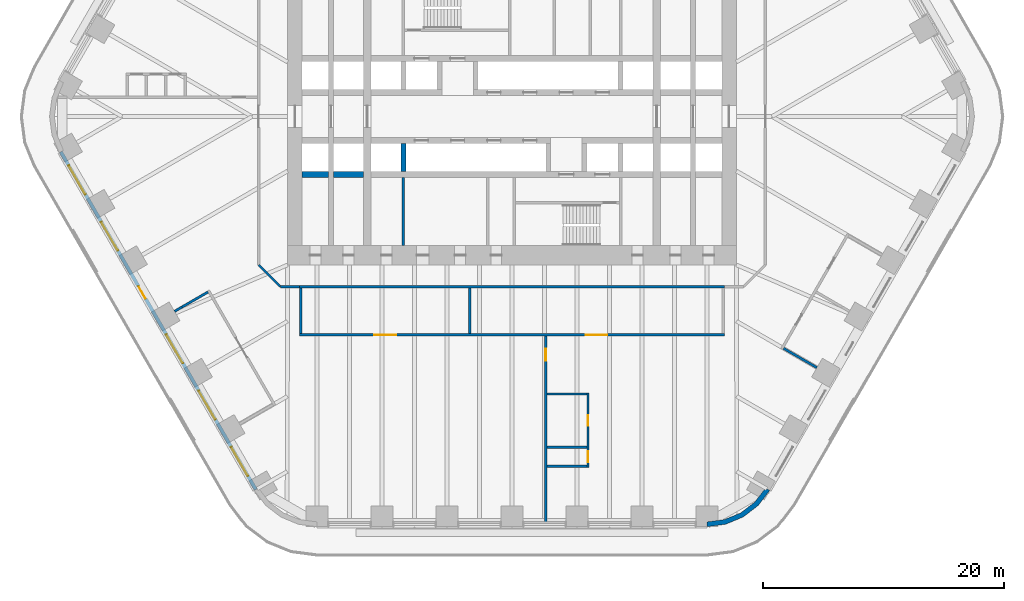
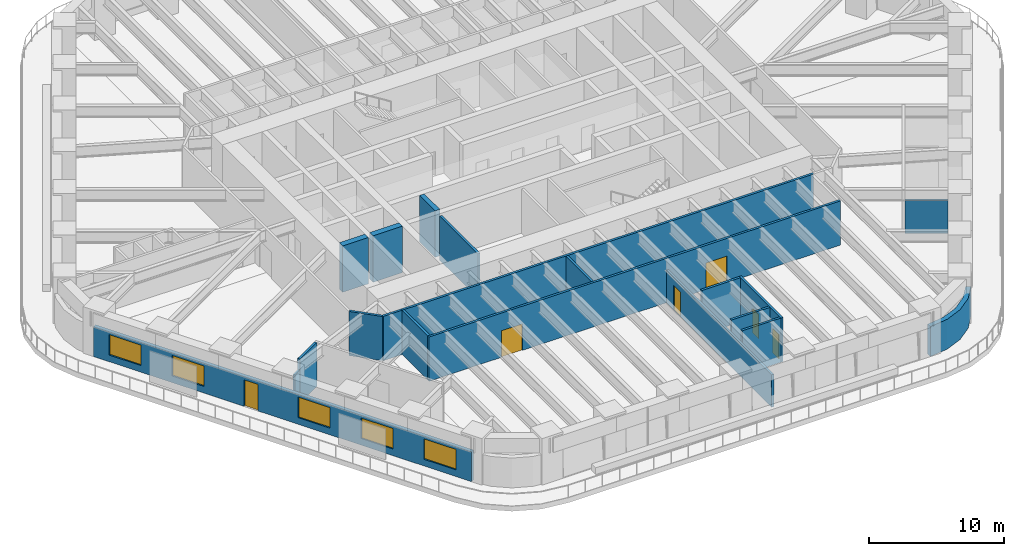
# One storey, part 16 of 23: 20 walls, 6 doors, 5 windows, 11 openings.
"""IFC4 building model written with IfcOpenShell, lengths in metres."""

from ifc_helpers import new_model, si_unit, direction, frame, frame_2d, origin, place, context, subcontext, project, spatial, polyline, rectangle, outline, extrude, material, layer, layer_set, type_object, element, fill, save


model = new_model("IFC4")

# Units and contexts
model_context = context("Model", 3, precision=1e-05, world=origin(), true_north=direction((0.0, 1.0)))
body_context = subcontext(model_context, "Body", "Model", "MODEL_VIEW")
ifc_project = project(units=[si_unit("LENGTHUNIT", "METRE"), si_unit("AREAUNIT", "SQUARE_METRE"), si_unit("VOLUMEUNIT", "CUBIC_METRE"), si_unit("PLANEANGLEUNIT", "RADIAN"), si_unit("MASSUNIT", "GRAM", prefix="KILO")], contexts=[model_context])

# Site, building, storey
site_placement = place(None, origin())
site = spatial("IfcSite", under=ifc_project, at=site_placement, CompositionType="ELEMENT")
building_placement = place(site_placement, origin())
building = spatial("IfcBuilding", under=site, at=building_placement, Name="Tarfa Lantern Tower", CompositionType="ELEMENT")
storey_placement = place(building_placement, frame((0.0, 0.0, 86.5)))
storey = spatial("IfcBuildingStorey", under=building, at=storey_placement, Name="L19", CompositionType="ELEMENT", Elevation=86.5)

# Wall, openings, door, windows
ifc_material_1 = material(Name="Limestone cladding on blockwork", Category="masonry")
ifc_layer_1 = layer(ifc_material_1, 0.300048828125)
ifc_layer_set_1 = layer_set([ifc_layer_1], Name="EW1 STONE-CLAD WALL 300")
wall_type_1 = type_object("IfcWallType", Name="EW1 STONE-CLAD WALL 300", PredefinedType="SOLIDWALL", material=ifc_layer_set_1)
wall_1_placement = place(storey_placement, frame((-37.39794921875, -2.925048828125, 0.0), z_axis=(0.0, 0.0, 1.0), x_axis=(0.499999163675, -0.866025886636, 0.0)))
wall_1 = element("IfcWall", 1, at=wall_1_placement, inside=storey, type_object=wall_type_1, Name="Stone wall SW", PredefinedType="SOLIDWALL", context=body_context, shape_type="SweptSolid", body=[
    extrude(rectangle(XDim=32.33154296875, YDim=0.300048828125, at=frame_2d((16.165771484375, 0.0))), origin(), (0.0, 0.0, 1.0), 2.699951171875),
])
opening_1_placement = place(wall_1_placement, frame((1.3193359375, 0.0, 0.60009765625)))
opening_1 = element("IfcOpeningElement", 2, at=opening_1_placement, cuts=wall_1, Name="Opening W2", PredefinedType="OPENING", context=body_context, shape_type="SweptSolid", body=[
    extrude(rectangle(XDim=2.75, YDim=1.85009765625, at=frame_2d((1.375, 0.925048828125))), frame((0.0, 0.159912109375, 0.0), z_axis=(0.0, -1.0, 0.0), x_axis=(1.0, 0.0, 0.0)), (0.0, 0.0, 1.0), 0.320068359375),
])
opening_2_placement = place(wall_1_placement, frame((6.7080078125, 0.0, 0.60009765625)))
opening_2 = element("IfcOpeningElement", 3, at=opening_2_placement, cuts=wall_1, Name="Opening W2", PredefinedType="OPENING", context=body_context, shape_type="SweptSolid", body=[
    extrude(rectangle(XDim=2.75, YDim=1.85009765625, at=frame_2d((1.375, 0.925048828125))), frame((0.0, 0.159912109375, 0.0), z_axis=(0.0, -1.0, 0.0), x_axis=(1.0, 0.0, 0.0)), (0.0, 0.0, 1.0), 0.320068359375),
])
opening_3_placement = place(wall_1_placement, frame((12.87158203125, 0.0, 0.0)))
opening_3 = element("IfcOpeningElement", 4, at=opening_3_placement, cuts=wall_1, Name="Opening D49", PredefinedType="OPENING", context=body_context, shape_type="SweptSolid", body=[
    extrude(rectangle(XDim=1.199951171875, YDim=2.39990234375, at=frame_2d((0.60009765625, 1.199951171875))), frame((0.0, 0.159912109375, 0.0), z_axis=(0.0, -1.0, 0.0), x_axis=(1.0, 0.0, 0.0)), (0.0, 0.0, 1.0), 0.320068359375),
])
opening_4_placement = place(wall_1_placement, frame((17.485107421875, 0.0, 0.60009765625)))
opening_4 = element("IfcOpeningElement", 5, at=opening_4_placement, cuts=wall_1, Name="Opening W2", PredefinedType="OPENING", context=body_context, shape_type="SweptSolid", body=[
    extrude(rectangle(XDim=2.75, YDim=1.85009765625, at=frame_2d((1.375, 0.925048828125))), frame((0.0, 0.159912109375, 0.0), z_axis=(0.0, -1.0, 0.0), x_axis=(1.0, 0.0, 0.0)), (0.0, 0.0, 1.0), 0.320068359375),
])
opening_5_placement = place(wall_1_placement, frame((22.873779296875, 0.0, 0.60009765625)))
opening_5 = element("IfcOpeningElement", 6, at=opening_5_placement, cuts=wall_1, Name="Opening W2", PredefinedType="OPENING", context=body_context, shape_type="SweptSolid", body=[
    extrude(rectangle(XDim=2.75, YDim=1.85009765625, at=frame_2d((1.375, 0.925048828125))), frame((0.0, 0.159912109375, 0.0), z_axis=(0.0, -1.0, 0.0), x_axis=(1.0, 0.0, 0.0)), (0.0, 0.0, 1.0), 0.320068359375),
])
opening_6_placement = place(wall_1_placement, frame((28.26220703125, 0.0, 0.60009765625)))
opening_6 = element("IfcOpeningElement", 7, at=opening_6_placement, cuts=wall_1, Name="Opening W2", PredefinedType="OPENING", context=body_context, shape_type="SweptSolid", body=[
    extrude(rectangle(XDim=2.75, YDim=1.85009765625, at=frame_2d((1.375, 0.925048828125))), frame((0.0, 0.159912109375, 0.0), z_axis=(0.0, -1.0, 0.0), x_axis=(1.0, 0.0, 0.0)), (0.0, 0.0, 1.0), 0.320068359375),
])
ifc_material_2 = material(Name="Aluminium framed glazed door", Category="aluminium")
door_type_1 = type_object("IfcDoorType", Name="BE3 BALCONY DOOR 1200x2400", OperationType="SINGLE_SWING_RIGHT", PredefinedType="DOOR", material=ifc_material_2)
door_1_placement = place(opening_3_placement, origin())
door_1 = element("IfcDoor", 8, at=door_1_placement, inside=storey, type_object=door_type_1, Name="Balcony door SW", OperationType="SINGLE_SWING_LEFT", OverallHeight=2.39990234375, OverallWidth=1.199951171875, PredefinedType="DOOR", context=body_context, shape_type="SweptSolid", body=[
    extrude(rectangle(XDim=1.199951171875, YDim=2.39990234375, at=frame_2d((0.60009765625, 1.199951171875))), frame((0.0, 0.02490234375, 0.0), z_axis=(0.0, -1.0, 0.0), x_axis=(1.0, 0.0, 0.0)), (0.0, 0.0, 1.0), 0.050048828125),
])
fill(opening_3, door_1)
ifc_material_3 = material(Name="Aluminium frame, double glazed", Category="aluminium")
window_type = type_object("IfcWindowType", Name="W2 FULL-HEIGHT GLAZING 2750x1850", PartitioningType="SINGLE_PANEL", PredefinedType="WINDOW", material=ifc_material_3)
window_1_placement = place(opening_1_placement, origin())
window_1 = element("IfcWindow", 9, at=window_1_placement, inside=storey, type_object=window_type, Name="Window SW 1", OverallHeight=1.85009765625, OverallWidth=2.75, PartitioningType="SINGLE_PANEL", PredefinedType="WINDOW", context=body_context, shape_type="SweptSolid", body=[
    extrude(rectangle(XDim=2.75, YDim=1.85009765625, at=frame_2d((1.375, 0.925048828125))), frame((0.0, 0.030029296875, 0.0), z_axis=(0.0, -1.0, 0.0), x_axis=(1.0, 0.0, 0.0)), (0.0, 0.0, 1.0), 0.06005859375),
])
fill(opening_1, window_1)
window_2_placement = place(opening_2_placement, origin())
window_2 = element("IfcWindow", 10, at=window_2_placement, inside=storey, type_object=window_type, Name="Window SW 2", OverallHeight=1.85009765625, OverallWidth=2.75, PartitioningType="SINGLE_PANEL", PredefinedType="WINDOW", context=body_context, shape_type="SweptSolid", body=[
    extrude(rectangle(XDim=2.75, YDim=1.85009765625, at=frame_2d((1.375, 0.925048828125))), frame((0.0, 0.030029296875, 0.0), z_axis=(0.0, -1.0, 0.0), x_axis=(1.0, 0.0, 0.0)), (0.0, 0.0, 1.0), 0.06005859375),
])
fill(opening_2, window_2)
window_3_placement = place(opening_4_placement, origin())
window_3 = element("IfcWindow", 11, at=window_3_placement, inside=storey, type_object=window_type, Name="Window SW 4", OverallHeight=1.85009765625, OverallWidth=2.75, PartitioningType="SINGLE_PANEL", PredefinedType="WINDOW", context=body_context, shape_type="SweptSolid", body=[
    extrude(rectangle(XDim=2.75, YDim=1.85009765625, at=frame_2d((1.375, 0.925048828125))), frame((0.0, 0.030029296875, 0.0), z_axis=(0.0, -1.0, 0.0), x_axis=(1.0, 0.0, 0.0)), (0.0, 0.0, 1.0), 0.06005859375),
])
fill(opening_4, window_3)
window_4_placement = place(opening_5_placement, origin())
window_4 = element("IfcWindow", 12, at=window_4_placement, inside=storey, type_object=window_type, Name="Window SW 5", OverallHeight=1.85009765625, OverallWidth=2.75, PartitioningType="SINGLE_PANEL", PredefinedType="WINDOW", context=body_context, shape_type="SweptSolid", body=[
    extrude(rectangle(XDim=2.75, YDim=1.85009765625, at=frame_2d((1.375, 0.925048828125))), frame((0.0, 0.030029296875, 0.0), z_axis=(0.0, -1.0, 0.0), x_axis=(1.0, 0.0, 0.0)), (0.0, 0.0, 1.0), 0.06005859375),
])
fill(opening_5, window_4)
window_5_placement = place(opening_6_placement, origin())
window_5 = element("IfcWindow", 13, at=window_5_placement, inside=storey, type_object=window_type, Name="Window SW 6", OverallHeight=1.85009765625, OverallWidth=2.75, PartitioningType="SINGLE_PANEL", PredefinedType="WINDOW", context=body_context, shape_type="SweptSolid", body=[
    extrude(rectangle(XDim=2.75, YDim=1.85009765625, at=frame_2d((1.375, 0.925048828125))), frame((0.0, 0.030029296875, 0.0), z_axis=(0.0, -1.0, 0.0), x_axis=(1.0, 0.0, 0.0)), (0.0, 0.0, 1.0), 0.06005859375),
])
fill(opening_6, window_5)

# Walls
ifc_layer_2 = layer(ifc_material_1, 0.39990234375)
ifc_layer_set_2 = layer_set([ifc_layer_2], Name="EW2 CURVED STONE CORNER 400")
wall_type_2 = type_object("IfcWallType", Name="EW2 CURVED STONE CORNER 400", PredefinedType="SOLIDWALL", material=ifc_layer_set_2)
wall_2_placement = place(storey_placement, origin())
element("IfcWall", 14, at=wall_2_placement, inside=storey, type_object=wall_type_2, Name="Stone corner S-SE", PredefinedType="SOLIDWALL", context=body_context, shape_type="SweptSolid", body=[
    extrude(outline(polyline([(16.165771484375, -34.0), (17.71875, -33.795654296875), (19.165771484375, -33.196044921875), (20.408447265625, -32.24267578125), (21.362060546875, -31.0), (21.015625, -30.800048828125), (20.12548828125, -31.959716796875), (18.9658203125, -32.849853515625), (17.615234375, -33.4091796875), (16.165771484375, -33.60009765625), (16.165771484375, -34.0)])), origin(), (0.0, 0.0, 1.0), 2.699951171875),
])
ifc_material_4 = material(Name="Concrete blockwork", Category="masonry")
ifc_layer_3 = layer(ifc_material_4, 0.199951171875)
ifc_layer_set_3 = layer_set([ifc_layer_3], Name="IW1 BLOCKWORK PARTITION 200 EI 120")
wall_type_3 = type_object("IfcWallType", Name="IW1 BLOCKWORK PARTITION 200 EI 120", PredefinedType="PARTITIONING", material=ifc_layer_set_3)
wall_3_placement = place(storey_placement, frame((-9.0, -5.050048828125, 0.0), z_axis=(0.0, 0.0, 1.0), x_axis=(0.0, -1.0, 0.0)))
element("IfcWall", 15, at=wall_3_placement, inside=storey, type_object=wall_type_3, Name="Core partition", PredefinedType="PARTITIONING", context=body_context, shape_type="SweptSolid", body=[
    extrude(rectangle(XDim=5.64990234375, YDim=0.199951171875, at=frame_2d((2.824951171875, 0.0))), origin(), (0.0, 0.0, 1.0), 4.0),
])
ifc_material_5 = material(Name="Gypsum board on steel studs", Category="steel")
ifc_layer_4 = layer(ifc_material_5, 0.2099609375)
ifc_layer_set_4 = layer_set([ifc_layer_4], Name="IW2 ACOUSTIC PARTITION 200")
wall_type_4 = type_object("IfcWallType", Name="IW2 ACOUSTIC PARTITION 200", PredefinedType="PARTITIONING", material=ifc_layer_set_4)
wall_4_placement = place(storey_placement, frame((17.60009765625, -14.10009765625, 0.0), z_axis=(0.0, 0.0, 1.0), x_axis=(-1.0, 0.0, 0.0)))
element("IfcWall", 16, at=wall_4_placement, inside=storey, type_object=wall_type_4, Name="Partition", PredefinedType="PARTITIONING", context=body_context, shape_type="SweptSolid", body=[
    extrude(rectangle(XDim=35.2001953125, YDim=0.199951171875, at=frame_2d((17.60009765625, 0.0))), origin(), (0.0, 0.0, 1.0), 4.0),
])

# Wall, openings, doors
wall_5_placement = place(storey_placement, frame((17.60009765625, -18.10009765625, 0.0), z_axis=(0.0, 0.0, 1.0), x_axis=(-1.0, 0.0, 0.0)))
wall_5 = element("IfcWall", 17, at=wall_5_placement, inside=storey, type_object=wall_type_4, Name="Partition", PredefinedType="PARTITIONING", context=body_context, shape_type="SweptSolid", body=[
    extrude(rectangle(XDim=35.2001953125, YDim=0.199951171875, at=frame_2d((17.60009765625, 0.0))), origin(), (0.0, 0.0, 1.0), 4.0),
])
opening_7_placement = place(wall_5_placement, frame((9.699951171875, 0.0, 0.0)))
opening_7 = element("IfcOpeningElement", 18, at=opening_7_placement, cuts=wall_5, Name="Opening D35", PredefinedType="OPENING", context=body_context, shape_type="SweptSolid", body=[
    extrude(rectangle(XDim=1.800048828125, YDim=2.39990234375, at=frame_2d((0.89990234375, 1.199951171875))), frame((0.0, 0.10986328125, 0.0), z_axis=(0.0, -1.0, 0.0), x_axis=(1.0, 0.0, 0.0)), (0.0, 0.0, 1.0), 0.219970703125),
])
opening_8_placement = place(wall_5_placement, frame((27.199951171875, 0.0, 0.0)))
opening_8 = element("IfcOpeningElement", 19, at=opening_8_placement, cuts=wall_5, Name="Opening D36", PredefinedType="OPENING", context=body_context, shape_type="SweptSolid", body=[
    extrude(rectangle(XDim=1.800048828125, YDim=2.39990234375, at=frame_2d((0.89990234375, 1.199951171875))), frame((0.0, 0.10986328125, 0.0), z_axis=(0.0, -1.0, 0.0), x_axis=(1.0, 0.0, 0.0)), (0.0, 0.0, 1.0), 0.219970703125),
])
ifc_material_6 = material(Name="Timber door", Category="wood")
door_type_2 = type_object("IfcDoorType", Name="DR2 ROOM DOOR 1800x2400", OperationType="DOUBLE_DOOR_SINGLE_SWING", PredefinedType="DOOR", material=ifc_material_6)
door_2_placement = place(opening_7_placement, frame((1.800048828125, 0.0, 0.0), z_axis=(0.0, 0.0, 1.0), x_axis=(-1.0, 0.0, 0.0)))
door_2 = element("IfcDoor", 20, at=door_2_placement, inside=storey, type_object=door_type_2, Name="File room door", OperationType="DOUBLE_DOOR_SINGLE_SWING", OverallHeight=2.39990234375, OverallWidth=1.800048828125, PredefinedType="DOOR", context=body_context, shape_type="SweptSolid", body=[
    extrude(rectangle(XDim=1.800048828125, YDim=2.39990234375, at=frame_2d((0.89990234375, 1.199951171875))), frame((0.0, 0.02490234375, 0.0), z_axis=(0.0, -1.0, 0.0), x_axis=(1.0, 0.0, 0.0)), (0.0, 0.0, 1.0), 0.050048828125),
])
fill(opening_7, door_2)
door_3_placement = place(opening_8_placement, frame((1.800048828125, 0.0, 0.0), z_axis=(0.0, 0.0, 1.0), x_axis=(-1.0, 0.0, 0.0)))
door_3 = element("IfcDoor", 21, at=door_3_placement, inside=storey, type_object=door_type_2, Name="Print room door", OperationType="DOUBLE_DOOR_SINGLE_SWING", OverallHeight=2.39990234375, OverallWidth=1.800048828125, PredefinedType="DOOR", context=body_context, shape_type="SweptSolid", body=[
    extrude(rectangle(XDim=1.800048828125, YDim=2.39990234375, at=frame_2d((0.89990234375, 1.199951171875))), frame((0.0, 0.02490234375, 0.0), z_axis=(0.0, -1.0, 0.0), x_axis=(1.0, 0.0, 0.0)), (0.0, 0.0, 1.0), 0.050048828125),
])
fill(opening_8, door_3)

# Walls
for number, where, z_axis, x_axis, name in (
    (22, (-3.5, -14.199951171875, 0.0), (0.0, 0.0, 1.0), (0.0, -1.0, 0.0), "Partition"),
    (23, (-17.5, -14.199951171875, 0.0), (0.0, 0.0, 1.0), (0.0, -1.0, 0.0), "Partition"),
):
    element("IfcWall", number, at=place(storey_placement, frame(where, z_axis=z_axis, x_axis=x_axis)), inside=storey, type_object=wall_type_4, Name=name, PredefinedType="PARTITIONING", context=body_context, shape_type="SweptSolid", body=[
        extrude(rectangle(XDim=3.800048828125, YDim=0.199951171875, at=frame_2d((1.89990234375, 0.0))), origin(), (0.0, 0.0, 1.0), 4.0),
    ])
wall_6_placement = place(storey_placement, frame((22.507080078125, -19.216552734375, 0.0), z_axis=(0.0, 0.0, 1.0), x_axis=(0.866008981251, -0.500028443584, 0.0)))
element("IfcWall", 24, at=wall_6_placement, inside=storey, type_object=wall_type_4, Name="Partition", PredefinedType="PARTITIONING", context=body_context, shape_type="SweptSolid", body=[
    extrude(rectangle(XDim=3.199951171875, YDim=0.199951171875, at=frame_2d((1.60009765625, 0.0))), origin(), (0.0, 0.0, 1.0), 2.991943359375),
])
wall_7_placement = place(storey_placement, frame((-25.201416015625, -14.550048828125, 0.0), z_axis=(0.0, 0.0, 1.0), x_axis=(-0.866020232408, -0.500008956979, 0.0)))
element("IfcWall", 25, at=wall_7_placement, inside=storey, type_object=wall_type_4, Name="Partition", PredefinedType="PARTITIONING", context=body_context, shape_type="SweptSolid", body=[
    extrude(rectangle(XDim=2.4833984375, YDim=0.199951171875, at=frame_2d((1.24169921875, 0.0))), origin(), (0.0, 0.0, 1.0), 4.0),
])
wall_8_placement = place(storey_placement, frame((-27.35205078125, -15.791748046875, 0.0), z_axis=(0.0, 0.0, 1.0), x_axis=(-0.866117509073, -0.499840435016, 0.0)))
element("IfcWall", 26, at=wall_8_placement, inside=storey, type_object=wall_type_4, Name="Partition", PredefinedType="PARTITIONING", context=body_context, shape_type="SweptSolid", body=[
    extrude(rectangle(XDim=0.716552734375, YDim=0.199951171875, at=frame_2d((0.3583984375, 0.0))), origin(), (0.0, 0.0, 1.0), 2.991943359375),
])
wall_9_placement = place(storey_placement, frame((-17.60009765625, -14.10009765625, 0.0), z_axis=(0.0, 0.0, 1.0), x_axis=(-1.0, 0.0, 0.0)))
element("IfcWall", 27, at=wall_9_placement, inside=storey, type_object=wall_type_4, Name="Partition", PredefinedType="PARTITIONING", context=body_context, shape_type="SweptSolid", body=[
    extrude(rectangle(XDim=1.599853515625, YDim=0.199951171875, at=frame_2d((0.7998046875, 0.0))), origin(), (0.0, 0.0, 1.0), 4.0),
])
wall_10_placement = place(storey_placement, frame((-19.199951171875, -14.10009765625, 0.0), z_axis=(0.0, 0.0, 1.0), x_axis=(-0.707106781187, 0.707106781187, 0.0)))
element("IfcWall", 28, at=wall_10_placement, inside=storey, type_object=wall_type_4, Name="Partition", PredefinedType="PARTITIONING", context=body_context, shape_type="SweptSolid", body=[
    extrude(rectangle(XDim=2.545654296875, YDim=0.199951171875, at=frame_2d((1.27294921875, 0.0))), origin(), (0.0, 0.0, 1.0), 4.0),
])

# Wall, opening, door
wall_11_placement = place(storey_placement, frame((2.800048828125, -18.199951171875, 0.0), z_axis=(0.0, 0.0, 1.0), x_axis=(0.0, -1.0, 0.0)))
wall_11 = element("IfcWall", 29, at=wall_11_placement, inside=storey, type_object=wall_type_4, Name="Partition", PredefinedType="PARTITIONING", context=body_context, shape_type="SweptSolid", body=[
    extrude(rectangle(XDim=15.60009765625, YDim=0.199951171875, at=frame_2d((7.800048828125, 0.0))), origin(), (0.0, 0.0, 1.0), 2.944091796875),
])
opening_9_placement = place(wall_11_placement, frame((1.06005859375, 0.0, 0.0)))
opening_9 = element("IfcOpeningElement", 30, at=opening_9_placement, cuts=wall_11, Name="Opening D45", PredefinedType="OPENING", context=body_context, shape_type="SweptSolid", body=[
    extrude(rectangle(XDim=1.0, YDim=2.199951171875, at=frame_2d((0.5, 1.10009765625))), frame((0.0, 0.10986328125, 0.0), z_axis=(0.0, -1.0, 0.0), x_axis=(1.0, 0.0, 0.0)), (0.0, 0.0, 1.0), 0.219970703125),
])
door_type_3 = type_object("IfcDoorType", Name="DR1 ROOM DOOR 1000x2200", OperationType="SINGLE_SWING_LEFT", PredefinedType="DOOR", material=ifc_material_6)
door_4_placement = place(opening_9_placement, frame((1.0, 0.0, 0.0), z_axis=(0.0, 0.0, 1.0), x_axis=(-1.0, 0.0, 0.0)))
door_4 = element("IfcDoor", 31, at=door_4_placement, inside=storey, type_object=door_type_3, Name="Zone door", OperationType="SINGLE_SWING_LEFT", OverallHeight=2.199951171875, OverallWidth=1.0, PredefinedType="DOOR", context=body_context, shape_type="SweptSolid", body=[
    extrude(rectangle(XDim=1.0, YDim=2.199951171875, at=frame_2d((0.5, 1.10009765625))), frame((0.0, 0.02490234375, 0.0), z_axis=(0.0, -1.0, 0.0), x_axis=(1.0, 0.0, 0.0)), (0.0, 0.0, 1.0), 0.050048828125),
])
fill(opening_9, door_4)

# Wall, openings, doors
wall_12_placement = place(storey_placement, frame((6.300048828125, -22.89990234375, 0.0), z_axis=(0.0, 0.0, 1.0), x_axis=(0.0, -1.0, 0.0)))
wall_12 = element("IfcWall", 32, at=wall_12_placement, inside=storey, type_object=wall_type_4, Name="Partition", PredefinedType="PARTITIONING", context=body_context, shape_type="SweptSolid", body=[
    extrude(rectangle(XDim=6.2001953125, YDim=0.199951171875, at=frame_2d((3.10009765625, 0.0))), origin(), (0.0, 0.0, 1.0), 4.0),
])
opening_10_placement = place(wall_12_placement, frame((1.85009765625, 0.0, 0.0)))
opening_10 = element("IfcOpeningElement", 33, at=opening_10_placement, cuts=wall_12, Name="Opening D37", PredefinedType="OPENING", context=body_context, shape_type="SweptSolid", body=[
    extrude(rectangle(XDim=0.89990234375, YDim=2.199951171875, at=frame_2d((0.449951171875, 1.10009765625))), frame((0.0, 0.10986328125, 0.0), z_axis=(0.0, -1.0, 0.0), x_axis=(1.0, 0.0, 0.0)), (0.0, 0.0, 1.0), 0.219970703125),
])
opening_11_placement = place(wall_12_placement, frame((4.85009765625, 0.0, 0.0)))
opening_11 = element("IfcOpeningElement", 34, at=opening_11_placement, cuts=wall_12, Name="Opening D38", PredefinedType="OPENING", context=body_context, shape_type="SweptSolid", body=[
    extrude(rectangle(XDim=0.89990234375, YDim=2.199951171875, at=frame_2d((0.449951171875, 1.10009765625))), frame((0.0, 0.10986328125, 0.0), z_axis=(0.0, -1.0, 0.0), x_axis=(1.0, 0.0, 0.0)), (0.0, 0.0, 1.0), 0.219970703125),
])
door_type_4 = type_object("IfcDoorType", Name="DR3 ROOM DOOR 900x2200", OperationType="SINGLE_SWING_LEFT", PredefinedType="DOOR", material=ifc_material_6)
door_5_placement = place(opening_10_placement, frame((0.89990234375, 0.0, 0.0), z_axis=(0.0, 0.0, 1.0), x_axis=(-1.0, 0.0, 0.0)))
door_5 = element("IfcDoor", 35, at=door_5_placement, inside=storey, type_object=door_type_4, Name="Meeting room door", OperationType="SINGLE_SWING_LEFT", OverallHeight=2.199951171875, OverallWidth=0.89990234375, PredefinedType="DOOR", context=body_context, shape_type="SweptSolid", body=[
    extrude(rectangle(XDim=0.89990234375, YDim=2.199951171875, at=frame_2d((0.449951171875, 1.10009765625))), frame((0.0, 0.02490234375, 0.0), z_axis=(0.0, -1.0, 0.0), x_axis=(1.0, 0.0, 0.0)), (0.0, 0.0, 1.0), 0.050048828125),
])
fill(opening_10, door_5)
door_6_placement = place(opening_11_placement, frame((0.89990234375, 0.0, 0.0), z_axis=(0.0, 0.0, 1.0), x_axis=(-1.0, 0.0, 0.0)))
door_6 = element("IfcDoor", 36, at=door_6_placement, inside=storey, type_object=door_type_4, Name="Phone booth door", OperationType="SINGLE_SWING_RIGHT", OverallHeight=2.199951171875, OverallWidth=0.89990234375, PredefinedType="DOOR", context=body_context, shape_type="SweptSolid", body=[
    extrude(rectangle(XDim=0.89990234375, YDim=2.199951171875, at=frame_2d((0.449951171875, 1.10009765625))), frame((0.0, 0.02490234375, 0.0), z_axis=(0.0, -1.0, 0.0), x_axis=(1.0, 0.0, 0.0)), (0.0, 0.0, 1.0), 0.050048828125),
])
fill(opening_11, door_6)

# Walls
for number, where, z_axis, x_axis, name in (
    (37, (2.89990234375, -23.0, 0.0), (0.0, 0.0, 1.0), (1.0, 0.0, 0.0), "Partition"),
    (38, (2.89990234375, -27.39990234375, 0.0), (0.0, 0.0, 1.0), (1.0, 0.0, 0.0), "Partition"),
    (39, (2.89990234375, -29.0, 0.0), (0.0, 0.0, 1.0), (1.0, 0.0, 0.0), "Partition"),
):
    element("IfcWall", number, at=place(storey_placement, frame(where, z_axis=z_axis, x_axis=x_axis)), inside=storey, type_object=wall_type_4, Name=name, PredefinedType="PARTITIONING", context=body_context, shape_type="SweptSolid", body=[
        extrude(rectangle(XDim=3.300048828125, YDim=0.199951171875, at=frame_2d((1.64990234375, 0.0))), origin(), (0.0, 0.0, 1.0), 4.0),
    ])
ifc_material_7 = material(Name="Concrete C80/95", Category="concrete")
ifc_layer_5 = layer(ifc_material_7, 0.5)
ifc_layer_set_5 = layer_set([ifc_layer_5], Name="SW5 CORE WALL 500")
wall_type_5 = type_object("IfcWallType", Name="SW5 CORE WALL 500", PredefinedType="SHEAR", material=ifc_layer_set_5)
wall_13_placement = place(storey_placement, frame((-12.300048828125, -4.800048828125, 0.0), z_axis=(0.0, 0.0, 1.0), x_axis=(-1.0, 0.0, 0.0)))
element("IfcWall", 40, at=wall_13_placement, inside=storey, type_object=wall_type_5, Name="Core wall rear S", PredefinedType="SHEAR", context=body_context, shape_type="SweptSolid", body=[
    extrude(rectangle(XDim=2.5, YDim=0.5, at=frame_2d((1.25, 0.0))), origin(), (0.0, 0.0, 1.0), 4.199951171875),
])
wall_14_placement = place(storey_placement, frame((-15.199951171875, -4.800048828125, 0.0), z_axis=(0.0, 0.0, 1.0), x_axis=(-1.0, 0.0, 0.0)))
element("IfcWall", 41, at=wall_14_placement, inside=storey, type_object=wall_type_5, Name="Core wall rear S", PredefinedType="SHEAR", context=body_context, shape_type="SweptSolid", body=[
    extrude(rectangle(XDim=2.199951171875, YDim=0.5, at=frame_2d((1.10009765625, 0.0))), origin(), (0.0, 0.0, 1.0), 4.199951171875),
])
ifc_layer_6 = layer(ifc_material_7, 0.39990234375)
ifc_layer_set_6 = layer_set([ifc_layer_6], Name="SW6 CORE WALL 400")
wall_type_6 = type_object("IfcWallType", Name="SW6 CORE WALL 400", PredefinedType="SHEAR", material=ifc_layer_set_6)
wall_15_placement = place(storey_placement, frame((-9.0, -2.25, 0.0), z_axis=(0.0, 0.0, 1.0), x_axis=(0.0, -1.0, 0.0)))
element("IfcWall", 42, at=wall_15_placement, inside=storey, type_object=wall_type_6, Name="Core wall divider S", PredefinedType="SHEAR", context=body_context, shape_type="SweptSolid", body=[
    extrude(rectangle(XDim=2.300048828125, YDim=0.39990234375, at=frame_2d((1.14990234375, 0.0))), origin(), (0.0, 0.0, 1.0), 4.199951171875),
])

save(model, "model.ifc")
